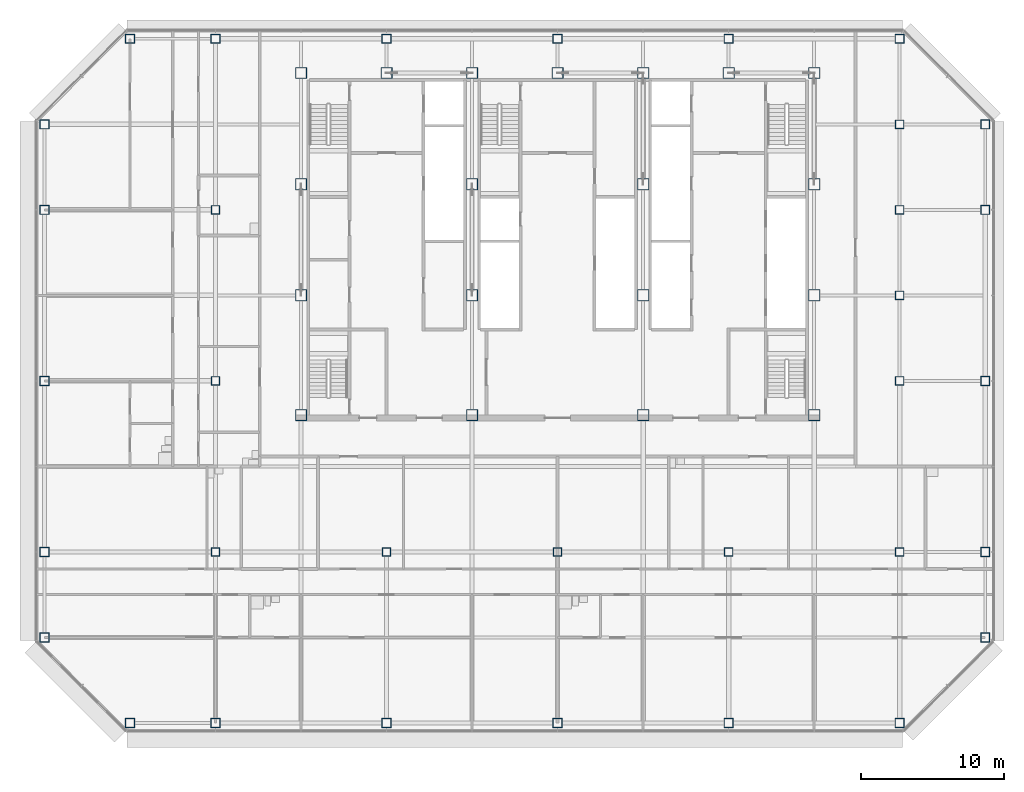
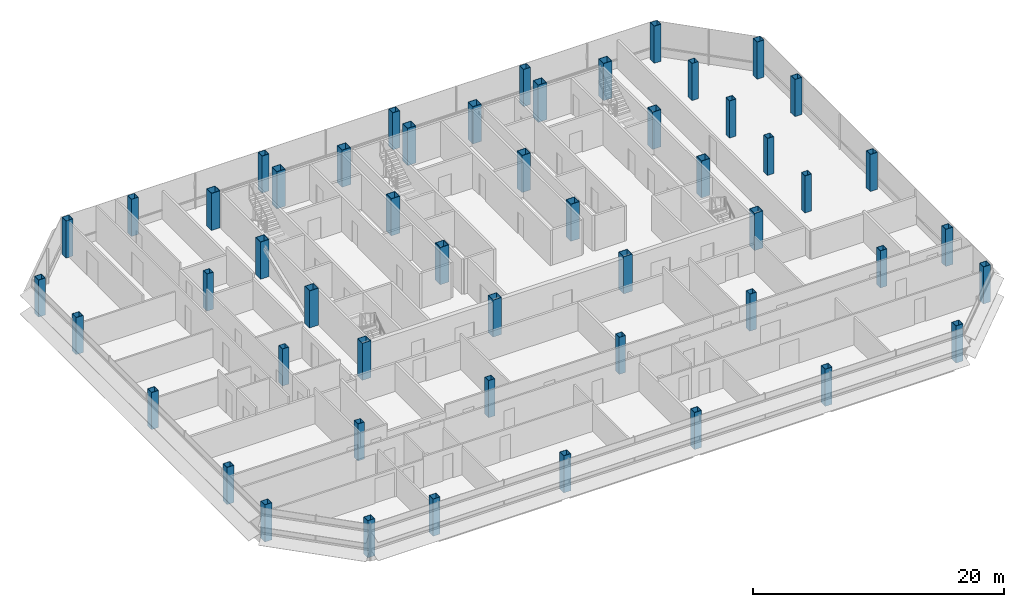
# One storey, part 1 of 26: 52 columns.
"""IFC4 building model written with IfcOpenShell, lengths in metres."""

from ifc_helpers import new_model, si_unit, direction, frame, origin, origin_2d, place, context, subcontext, project, spatial, hollow_rectangle, extrude, material, material_profile, profile_set, type_object, element, save


model = new_model("IFC4")

# Units and contexts
model_context = context("Model", 3, precision=1e-05, world=origin(), true_north=direction((0.0, 1.0)))
body_context = subcontext(model_context, "Body", "Model", "MODEL_VIEW")
ifc_project = project(units=[si_unit("LENGTHUNIT", "METRE"), si_unit("AREAUNIT", "SQUARE_METRE"), si_unit("VOLUMEUNIT", "CUBIC_METRE"), si_unit("PLANEANGLEUNIT", "RADIAN"), si_unit("MASSUNIT", "GRAM", prefix="KILO")], contexts=[model_context])

# Site, building, storey
site_placement = place(None, origin())
site = spatial("IfcSite", under=ifc_project, at=site_placement, CompositionType="ELEMENT")
building_placement = place(site_placement, origin())
building = spatial("IfcBuilding", under=site, at=building_placement, Name="Sorahane Residences", CompositionType="ELEMENT")
storey_placement = place(building_placement, frame((0.0, 0.0, 215.39990234375)))
storey = spatial("IfcBuildingStorey", under=building, at=storey_placement, Name="L50", CompositionType="ELEMENT", Elevation=215.39990234375)

# Columns
ifc_material_1 = material(Name="Steel Q355B", Category="steel")
ifc_material_profile_1 = material_profile(ifc_material_1, hollow_rectangle(XDim=0.60009765625, YDim=0.60009765625, WallThickness=0.028076171875, at=origin_2d()), Name="BOX 600x600x28")
ifc_profile_set_1 = profile_set([ifc_material_profile_1], Name="Steel Q355B")
column_type_1 = type_object("IfcColumnType", Name="Steel box column BOX 600x600x28 Q355B", PredefinedType="COLUMN", material=ifc_profile_set_1)
for number, where, z_axis, x_axis, name in (
    (1, (0.0, 12.0, 0.0), (0.0, 0.0, 1.0), (1.0, 0.0, 0.0), "Column L50 0/12"),
    (2, (0.0, 24.0, 0.0), (0.0, 0.0, 1.0), (1.0, 0.0, 0.0), "Column L50 0/24"),
    (3, (0.0, 36.0, 0.0), (0.0, 0.0, 1.0), (1.0, 0.0, 0.0), "Column L50 0/36"),
    (4, (12.0, 12.0, 0.0), (0.0, 0.0, 1.0), (1.0, 0.0, 0.0), "Column L50 12/12"),
    (5, (24.0, 12.0, 0.0), (0.0, 0.0, 1.0), (1.0, 0.0, 0.0), "Column L50 24/12"),
    (6, (36.0, 12.0, 0.0), (0.0, 0.0, 1.0), (1.0, 0.0, 0.0), "Column L50 36/12"),
    (7, (48.0, 12.0, 0.0), (0.0, 0.0, 1.0), (1.0, 0.0, 0.0), "Column L50 48/12"),
    (8, (48.0, 24.0, 0.0), (0.0, 0.0, 1.0), (1.0, 0.0, 0.0), "Column L50 48/24"),
    (9, (48.0, 30.0, 0.0), (0.0, 0.0, 1.0), (1.0, 0.0, 0.0), "Column L50 48/30"),
    (10, (48.0, 36.0, 0.0), (0.0, 0.0, 1.0), (1.0, 0.0, 0.0), "Column L50 48/36"),
    (11, (48.0, 42.0, 0.0), (0.0, 0.0, 1.0), (1.0, 0.0, 0.0), "Column L50 48/42"),
):
    element("IfcColumn", number, at=place(storey_placement, frame(where, z_axis=z_axis, x_axis=x_axis)), inside=storey, type_object=column_type_1, Name=name, PredefinedType="COLUMN", context=body_context, shape_type="SweptSolid", body=[
        extrude(hollow_rectangle(XDim=0.60009765625, YDim=0.60009765625, WallThickness=0.028076171875, at=origin_2d()), origin(), (0.0, 0.0, 1.0), 3.60009765625),
    ])
ifc_material_2 = material(Name="Steel Q355B", Category="steel")
ifc_material_profile_2 = material_profile(ifc_material_2, hollow_rectangle(XDim=0.64990234375, YDim=0.64990234375, WallThickness=0.031982421875, at=origin_2d()), Name="BOX 650x650x32")
ifc_profile_set_2 = profile_set([ifc_material_profile_2], Name="Steel Q355B")
column_type_2 = type_object("IfcColumnType", Name="Steel box column BOX 650x650x32 Q355B", PredefinedType="COLUMN", material=ifc_profile_set_2)
for number, where, z_axis, x_axis, name in (
    (12, (-12.0, 6.0, 0.0), (0.0, 0.0, 1.0), (1.0, 0.0, 0.0), "Column L50 m12/6"),
    (13, (-12.0, 12.0, 0.0), (0.0, 0.0, 1.0), (1.0, 0.0, 0.0), "Column L50 m12/12"),
    (14, (-12.0, 24.0, 0.0), (0.0, 0.0, 1.0), (1.0, 0.0, 0.0), "Column L50 m12/24"),
    (15, (-12.0, 36.0, 0.0), (0.0, 0.0, 1.0), (1.0, 0.0, 0.0), "Column L50 m12/36"),
    (16, (-12.0, 42.0, 0.0), (0.0, 0.0, 1.0), (1.0, 0.0, 0.0), "Column L50 m12/42"),
    (17, (-6.0, 0.0, 0.0), (0.0, 0.0, 1.0), (1.0, 0.0, 0.0), "Column L50 m6/0"),
    (18, (-6.0, 48.0, 0.0), (0.0, 0.0, 1.0), (1.0, 0.0, 0.0), "Column L50 m6/48"),
    (19, (0.0, 0.0, 0.0), (0.0, 0.0, 1.0), (1.0, 0.0, 0.0), "Column L50 0/0"),
    (20, (0.0, 48.0, 0.0), (0.0, 0.0, 1.0), (1.0, 0.0, 0.0), "Column L50 0/48"),
    (21, (12.0, 0.0, 0.0), (0.0, 0.0, 1.0), (1.0, 0.0, 0.0), "Column L50 12/0"),
    (22, (12.0, 48.0, 0.0), (0.0, 0.0, 1.0), (1.0, 0.0, 0.0), "Column L50 12/48"),
    (23, (24.0, 0.0, 0.0), (0.0, 0.0, 1.0), (1.0, 0.0, 0.0), "Column L50 24/0"),
    (24, (24.0, 48.0, 0.0), (0.0, 0.0, 1.0), (1.0, 0.0, 0.0), "Column L50 24/48"),
    (25, (36.0, 0.0, 0.0), (0.0, 0.0, 1.0), (1.0, 0.0, 0.0), "Column L50 36/0"),
    (26, (36.0, 48.0, 0.0), (0.0, 0.0, 1.0), (1.0, 0.0, 0.0), "Column L50 36/48"),
    (27, (48.0, 0.0, 0.0), (0.0, 0.0, 1.0), (1.0, 0.0, 0.0), "Column L50 48/0"),
    (28, (48.0, 48.0, 0.0), (0.0, 0.0, 1.0), (1.0, 0.0, 0.0), "Column L50 48/48"),
    (29, (54.0, 6.0, 0.0), (0.0, 0.0, 1.0), (1.0, 0.0, 0.0), "Column L50 54/6"),
    (30, (54.0, 12.0, 0.0), (0.0, 0.0, 1.0), (1.0, 0.0, 0.0), "Column L50 54/12"),
    (31, (54.0, 24.0, 0.0), (0.0, 0.0, 1.0), (1.0, 0.0, 0.0), "Column L50 54/24"),
    (32, (54.0, 36.0, 0.0), (0.0, 0.0, 1.0), (1.0, 0.0, 0.0), "Column L50 54/36"),
    (33, (54.0, 42.0, 0.0), (0.0, 0.0, 1.0), (1.0, 0.0, 0.0), "Column L50 54/42"),
):
    element("IfcColumn", number, at=place(storey_placement, frame(where, z_axis=z_axis, x_axis=x_axis)), inside=storey, type_object=column_type_2, Name=name, PredefinedType="COLUMN", context=body_context, shape_type="SweptSolid", body=[
        extrude(hollow_rectangle(XDim=0.64990234375, YDim=0.64990234375, WallThickness=0.031982421875, at=origin_2d()), origin(), (0.0, 0.0, 1.0), 3.60009765625),
    ])
ifc_material_3 = material(Name="Steel Q355B", Category="steel")
ifc_material_profile_3 = material_profile(ifc_material_3, hollow_rectangle(XDim=0.800048828125, YDim=0.800048828125, WallThickness=0.0400390625, at=origin_2d()), Name="BOX 800x800x40")
ifc_profile_set_3 = profile_set([ifc_material_profile_3], Name="Steel Q355B")
column_type_3 = type_object("IfcColumnType", Name="Steel box column BOX 800x800x40 Q355B", PredefinedType="COLUMN", material=ifc_profile_set_3)
for number, where, z_axis, x_axis, name in (
    (34, (6.0, 21.60009765625, 0.0), (0.0, 0.0, 1.0), (1.0, 0.0, 0.0), "Column L50 6/21.6"),
    (35, (6.0, 30.0, 0.0), (0.0, 0.0, 1.0), (1.0, 0.0, 0.0), "Column L50 6/30"),
    (36, (6.0, 37.800048828125, 0.0), (0.0, 0.0, 1.0), (1.0, 0.0, 0.0), "Column L50 6/37.8"),
    (37, (6.0, 45.60009765625, 0.0), (0.0, 0.0, 1.0), (1.0, 0.0, 0.0), "Column L50 6/45.6"),
    (38, (12.0, 45.60009765625, 0.0), (0.0, 0.0, 1.0), (1.0, 0.0, 0.0), "Column L50 12/45.6"),
    (39, (18.0, 21.60009765625, 0.0), (0.0, 0.0, 1.0), (1.0, 0.0, 0.0), "Column L50 18/21.6"),
    (40, (18.0, 30.0, 0.0), (0.0, 0.0, 1.0), (1.0, 0.0, 0.0), "Column L50 18/30"),
    (41, (18.0, 37.800048828125, 0.0), (0.0, 0.0, 1.0), (1.0, 0.0, 0.0), "Column L50 18/37.8"),
    (42, (18.0, 45.60009765625, 0.0), (0.0, 0.0, 1.0), (1.0, 0.0, 0.0), "Column L50 18/45.6"),
    (43, (24.0, 45.60009765625, 0.0), (0.0, 0.0, 1.0), (1.0, 0.0, 0.0), "Column L50 24/45.6"),
    (44, (30.0, 21.60009765625, 0.0), (0.0, 0.0, 1.0), (1.0, 0.0, 0.0), "Column L50 30/21.6"),
    (45, (30.0, 30.0, 0.0), (0.0, 0.0, 1.0), (1.0, 0.0, 0.0), "Column L50 30/30"),
    (46, (30.0, 37.800048828125, 0.0), (0.0, 0.0, 1.0), (1.0, 0.0, 0.0), "Column L50 30/37.8"),
    (47, (30.0, 45.60009765625, 0.0), (0.0, 0.0, 1.0), (1.0, 0.0, 0.0), "Column L50 30/45.6"),
    (48, (36.0, 45.60009765625, 0.0), (0.0, 0.0, 1.0), (1.0, 0.0, 0.0), "Column L50 36/45.6"),
    (49, (42.0, 21.60009765625, 0.0), (0.0, 0.0, 1.0), (1.0, 0.0, 0.0), "Column L50 42/21.6"),
    (50, (42.0, 30.0, 0.0), (0.0, 0.0, 1.0), (1.0, 0.0, 0.0), "Column L50 42/30"),
    (51, (42.0, 37.800048828125, 0.0), (0.0, 0.0, 1.0), (1.0, 0.0, 0.0), "Column L50 42/37.8"),
    (52, (42.0, 45.60009765625, 0.0), (0.0, 0.0, 1.0), (1.0, 0.0, 0.0), "Column L50 42/45.6"),
):
    element("IfcColumn", number, at=place(storey_placement, frame(where, z_axis=z_axis, x_axis=x_axis)), inside=storey, type_object=column_type_3, Name=name, PredefinedType="COLUMN", context=body_context, shape_type="SweptSolid", body=[
        extrude(hollow_rectangle(XDim=0.800048828125, YDim=0.800048828125, WallThickness=0.0400390625, at=origin_2d()), origin(), (0.0, 0.0, 1.0), 3.60009765625),
    ])

save(model, "model.ifc")
